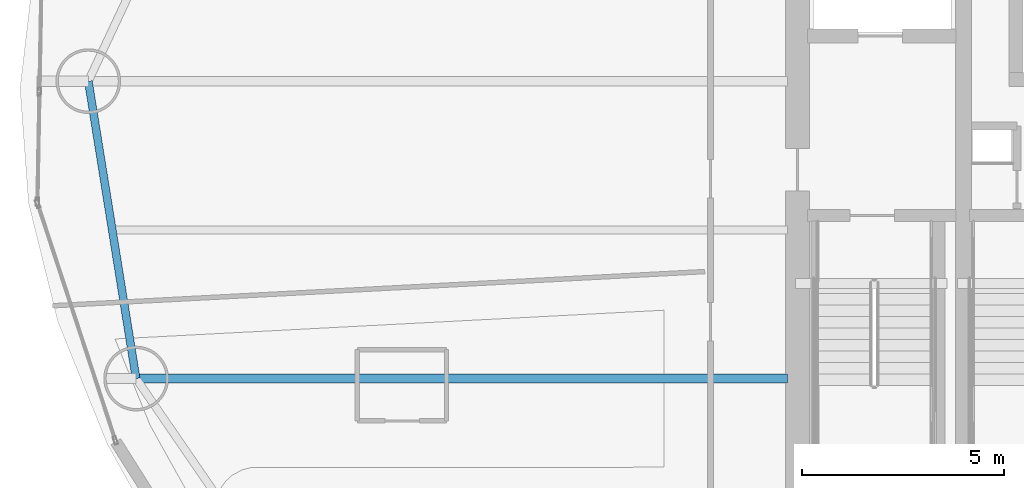
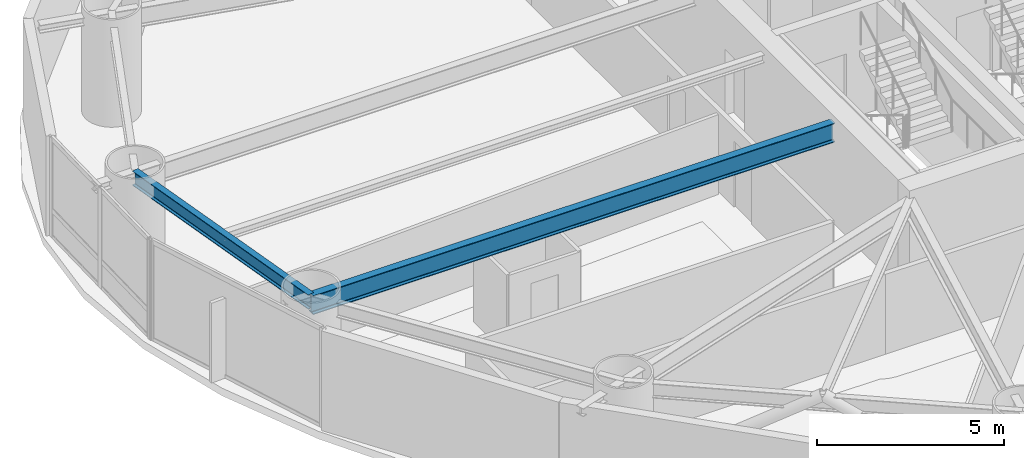
# One storey, part 5 of 24: 2 beams.
"""IFC4 building model written with IfcOpenShell, lengths in metres."""

from ifc_helpers import new_model, si_unit, direction, frame, origin, origin_2d, place, context, subcontext, project, spatial, i_section, extrude, material, material_profile, profile_set, type_object, element, save


model = new_model("IFC4")

# Units and contexts
model_context = context("Model", 3, precision=1e-05, world=origin(), true_north=direction((0.0, 1.0)))
body_context = subcontext(model_context, "Body", "Model", "MODEL_VIEW")
ifc_project = project(units=[si_unit("LENGTHUNIT", "METRE"), si_unit("AREAUNIT", "SQUARE_METRE"), si_unit("VOLUMEUNIT", "CUBIC_METRE"), si_unit("PLANEANGLEUNIT", "RADIAN"), si_unit("MASSUNIT", "GRAM", prefix="KILO")], contexts=[model_context])

# Site, building, storey
site_placement = place(None, origin())
site = spatial("IfcSite", under=ifc_project, at=site_placement, CompositionType="ELEMENT")
building_placement = place(site_placement, origin())
building = spatial("IfcBuilding", under=site, at=building_placement, Name="Bramvorn Convention Spire", CompositionType="ELEMENT")
storey_placement = place(building_placement, frame((0.0, 0.0, 83.39990234375)))
storey = spatial("IfcBuildingStorey", under=building, at=storey_placement, Name="L19", CompositionType="ELEMENT", Elevation=83.39990234375)

# Beams
ifc_material = material(Name="Steel CSA G40.21 Grade 350 (350W)", Category="steel")
ifc_material_profile_1 = material_profile(ifc_material, i_section(OverallWidth=0.194091796875, OverallDepth=0.468994140625, WebThickness=0.0126953125, FlangeThickness=0.0205078125, FilletRadius=0.01806640625, at=origin_2d()))
ifc_profile_set_1 = profile_set([ifc_material_profile_1], Name="Steel CSA G40.21 Grade 350 (350W) - W460X106")
beam_type_1 = type_object("IfcBeamType", Name="BM-W460X106", PredefinedType="SPANDREL", material=ifc_profile_set_1)
beam_1_placement = place(storey_placement, frame((9.480224609375, 30.00830078125, 3.015625), z_axis=(0.158699222824, -0.987326975563, 0.0), x_axis=(0.987326975563, 0.158699222824, 0.0)))
element("IfcBeam", 1, at=beam_1_placement, inside=storey, type_object=beam_type_1, Name="L19 mega-column ring beam 09", PredefinedType="SPANDREL", context=body_context, shape_type="SweptSolid", body=[
    extrude(i_section(OverallWidth=0.194091796875, OverallDepth=0.468994140625, WebThickness=0.0126953125, FlangeThickness=0.0205078125, FilletRadius=0.01806640625, at=origin_2d()), origin(), (0.0, 0.0, 1.0), 7.442626953125),
])
ifc_material_profile_2 = material_profile(ifc_material, i_section(OverallWidth=0.22998046875, OverallDepth=0.616943359375, WebThickness=0.01318359375, FlangeThickness=0.022216796875, FilletRadius=0.02001953125, at=origin_2d()))
ifc_profile_set_2 = profile_set([ifc_material_profile_2], Name="Steel CSA G40.21 Grade 350 (350W) - W610X140")
beam_type_2 = type_object("IfcBeamType", Name="BM-W610X140", PredefinedType="BEAM", material=ifc_profile_set_2)
beam_2_placement = place(storey_placement, frame((26.75, 22.659912109375, 2.941650390625), z_axis=(-1.0, 0.0, 0.0), x_axis=(0.0, -1.0, 0.0)))
element("IfcBeam", 2, at=beam_2_placement, inside=storey, type_object=beam_type_2, Name="L19 radial floor girder MC10", PredefinedType="BEAM", context=body_context, shape_type="SweptSolid", body=[
    extrude(i_section(OverallWidth=0.22998046875, OverallDepth=0.616943359375, WebThickness=0.01318359375, FlangeThickness=0.022216796875, FilletRadius=0.02001953125, at=origin_2d()), origin(), (0.0, 0.0, 1.0), 16.088623046875),
])

save(model, "model.ifc")
